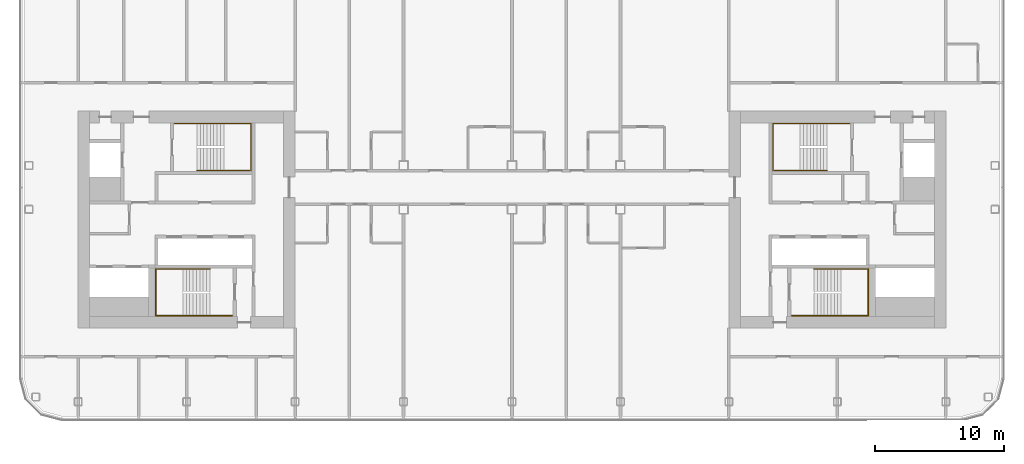
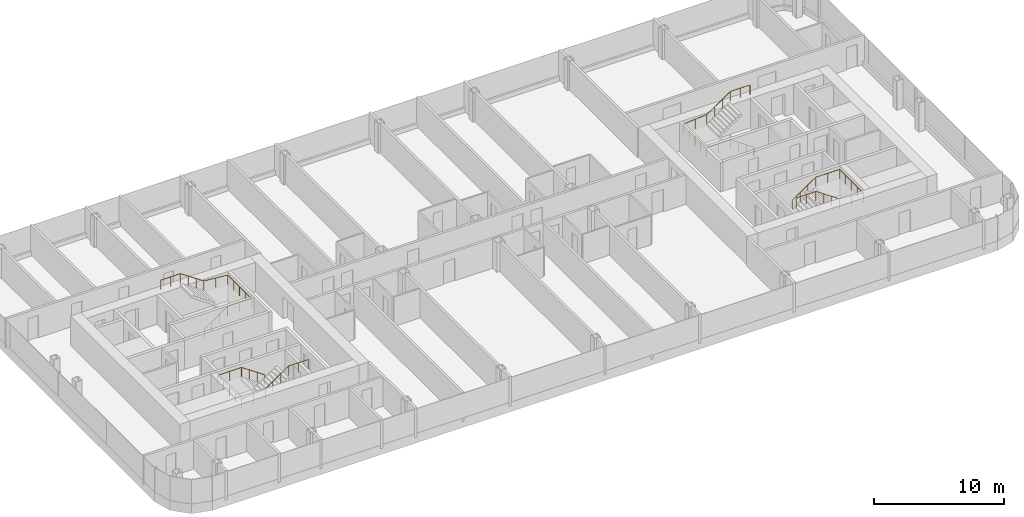
# One storey, part 26 of 26: 4 railings.
"""IFC4 building model written with IfcOpenShell, lengths in metres."""

from ifc_helpers import new_model, si_unit, direction, frame, origin, origin_2d, place, context, subcontext, project, spatial, circle, extrude, material, type_object, element, save


model = new_model("IFC4")

# Units and contexts
model_context = context("Model", 3, precision=1e-05, world=origin(), true_north=direction((0.0, 1.0)))
body_context = subcontext(model_context, "Body", "Model", "MODEL_VIEW")
ifc_project = project(units=[si_unit("LENGTHUNIT", "METRE"), si_unit("AREAUNIT", "SQUARE_METRE"), si_unit("VOLUMEUNIT", "CUBIC_METRE"), si_unit("PLANEANGLEUNIT", "RADIAN"), si_unit("MASSUNIT", "GRAM", prefix="KILO")], contexts=[model_context])

# Site, building, storey
site_placement = place(None, origin())
site = spatial("IfcSite", under=ifc_project, at=site_placement, CompositionType="ELEMENT")
building_placement = place(site_placement, origin())
building = spatial("IfcBuilding", under=site, at=building_placement, Name="Hakoniwa Tower and Hamabe Station Hall", CompositionType="ELEMENT")
storey_placement = place(building_placement, frame((0.0, 0.0, 196.199951171875)))
storey = spatial("IfcBuildingStorey", under=building, at=storey_placement, Name="L55", CompositionType="ELEMENT", Elevation=196.199951171875)

# Railings
ifc_material = material(Name="Stainless steel SUS304", Category="steel")
railing_type = type_object("IfcRailingType", Name="STAIR HANDRAIL 900", PredefinedType="HANDRAIL", material=ifc_material)
railing_1_placement = place(storey_placement, frame((-24.39990234375, 3.81005859375, 0.177734375)))
element("IfcRailing", 1, at=railing_1_placement, inside=storey, type_object=railing_type, Name="Handrail ST-1 L55 1", PredefinedType="HANDRAIL", context=body_context, shape_type="SweptSolid", body=[
    extrude(circle(Radius=0.02392578125, at=origin_2d()), frame((0.0, 0.0, 0.8759765625), z_axis=(0.825433201882, 0.0, 0.564499804456), x_axis=(0.0, 1.0, 0.0)), (0.0, 0.0, 1.0), 2.519775390625),
    extrude(circle(Radius=0.02392578125, at=origin_2d()), frame((2.079833984375, 0.0, 2.29833984375), z_axis=(1.0, 0.0, 0.0), x_axis=(0.0, 1.0, 0.0)), (0.0, 0.0, 1.0), 2.110107421875),
    extrude(circle(Radius=0.02392578125, at=origin_2d()), frame((4.18994140625, 0.0, 2.29833984375), z_axis=(0.0, 1.0, 0.0), x_axis=(-1.0, 0.0, 0.0)), (0.0, 0.0, 1.0), 3.6298828125),
    extrude(circle(Radius=0.02392578125, at=origin_2d()), frame((4.18994140625, 3.6298828125, 2.29833984375), z_axis=(-0.996471417081, 0.0, 0.083932800143), x_axis=(0.0, -1.0, 0.0)), (0.0, 0.0, 1.0), 2.11767578125),
    extrude(circle(Radius=0.02392578125, at=origin_2d()), frame((2.079833984375, 3.6298828125, 2.47607421875), z_axis=(-0.825478349766, 0.0, 0.564433781827), x_axis=(0.0, -1.0, 0.0)), (0.0, 0.0, 1.0), 2.51953125),
    extrude(circle(Radius=0.02392578125, at=origin_2d()), frame((0.0, 3.6298828125, 3.89794921875), z_axis=(-1.0, 0.0, 0.0), x_axis=(0.0, -1.0, 0.0)), (0.0, 0.0, 1.0), 1.739990234375),
    extrude(circle(Radius=0.02099609375, at=origin_2d()), origin(), (0.0, 0.0, 1.0), 0.851806640625),
    extrude(circle(Radius=0.02099609375, at=origin_2d()), frame((0.693359375, 0.0, 0.47412109375)), (0.0, 0.0, 1.0), 0.851806640625),
    extrude(circle(Radius=0.02099609375, at=origin_2d()), frame((1.386474609375, 0.0, 0.9482421875)), (0.0, 0.0, 1.0), 0.851806640625),
    extrude(circle(Radius=0.02099609375, at=origin_2d()), frame((2.079833984375, 0.0, 1.42236328125)), (0.0, 0.0, 1.0), 0.851806640625),
    extrude(circle(Radius=0.02099609375, at=origin_2d()), frame((3.134765625, 0.0, 1.42236328125)), (0.0, 0.0, 1.0), 0.851806640625),
    extrude(circle(Radius=0.02099609375, at=origin_2d()), frame((4.18994140625, 0.0, 1.42236328125)), (0.0, 0.0, 1.0), 0.851806640625),
    extrude(circle(Radius=0.02099609375, at=origin_2d()), frame((4.18994140625, 0.907470703125, 1.42236328125)), (0.0, 0.0, 1.0), 0.851806640625),
    extrude(circle(Radius=0.02099609375, at=origin_2d()), frame((4.18994140625, 1.81494140625, 1.42236328125)), (0.0, 0.0, 1.0), 0.851806640625),
    extrude(circle(Radius=0.02099609375, at=origin_2d()), frame((4.18994140625, 2.722412109375, 1.42236328125)), (0.0, 0.0, 1.0), 0.851806640625),
    extrude(circle(Radius=0.02099609375, at=origin_2d()), frame((4.18994140625, 3.6298828125, 1.42236328125)), (0.0, 0.0, 1.0), 0.851806640625),
    extrude(circle(Radius=0.02099609375, at=origin_2d()), frame((3.134765625, 3.6298828125, 1.51123046875)), (0.0, 0.0, 1.0), 0.851806640625),
    extrude(circle(Radius=0.02099609375, at=origin_2d()), frame((2.079833984375, 3.6298828125, 1.60009765625)), (0.0, 0.0, 1.0), 0.851806640625),
    extrude(circle(Radius=0.02099609375, at=origin_2d()), frame((1.386474609375, 3.6298828125, 2.07421875)), (0.0, 0.0, 1.0), 0.851806640625),
    extrude(circle(Radius=0.02099609375, at=origin_2d()), frame((0.693359375, 3.6298828125, 2.548095703125)), (0.0, 0.0, 1.0), 0.851806640625),
    extrude(circle(Radius=0.02099609375, at=origin_2d()), frame((0.0, 3.6298828125, 3.022216796875)), (0.0, 0.0, 1.0), 0.851806640625),
    extrude(circle(Radius=0.02099609375, at=origin_2d()), frame((-0.8701171875, 3.6298828125, 3.022216796875)), (0.0, 0.0, 1.0), 0.851806640625),
    extrude(circle(Radius=0.02099609375, at=origin_2d()), frame((-1.739990234375, 3.6298828125, 3.022216796875)), (0.0, 0.0, 1.0), 0.851806640625),
])
railing_2_placement = place(storey_placement, frame((-23.39990234375, -3.81005859375, 0.177734375)))
element("IfcRailing", 2, at=railing_2_placement, inside=storey, type_object=railing_type, Name="Handrail ST-2 L55 1", PredefinedType="HANDRAIL", context=body_context, shape_type="SweptSolid", body=[
    extrude(circle(Radius=0.02392578125, at=origin_2d()), frame((0.0, 0.0, 0.8759765625), z_axis=(-0.825464074169, 0.0, 0.564454659168), x_axis=(0.0, -1.0, 0.0)), (0.0, 0.0, 1.0), 2.519775390625),
    extrude(circle(Radius=0.02392578125, at=origin_2d()), frame((-2.080078125, 0.0, 2.29833984375), z_axis=(-1.0, 0.0, 0.0), x_axis=(0.0, -1.0, 0.0)), (0.0, 0.0, 1.0), 2.110107421875),
    extrude(circle(Radius=0.02392578125, at=origin_2d()), frame((-4.190185546875, 0.0, 2.29833984375), z_axis=(0.0, -1.0, 0.0), x_axis=(1.0, 0.0, 0.0)), (0.0, 0.0, 1.0), 3.6298828125),
    extrude(circle(Radius=0.02392578125, at=origin_2d()), frame((-4.190185546875, -3.6298828125, 2.29833984375), z_axis=(0.996471417081, 0.0, 0.083932800143), x_axis=(0.0, 1.0, 0.0)), (0.0, 0.0, 1.0), 2.11767578125),
    extrude(circle(Radius=0.02392578125, at=origin_2d()), frame((-2.080078125, -3.6298828125, 2.47607421875), z_axis=(0.82550921652, 0.0, 0.564388636881), x_axis=(0.0, 1.0, 0.0)), (0.0, 0.0, 1.0), 2.519775390625),
    extrude(circle(Radius=0.02392578125, at=origin_2d()), frame((0.0, -3.6298828125, 3.89794921875), z_axis=(1.0, 0.0, 0.0), x_axis=(0.0, 1.0, 0.0)), (0.0, 0.0, 1.0), 1.739990234375),
    extrude(circle(Radius=0.02099609375, at=origin_2d()), origin(), (0.0, 0.0, 1.0), 0.851806640625),
    extrude(circle(Radius=0.02099609375, at=origin_2d()), frame((-0.693359375, 0.0, 0.47412109375)), (0.0, 0.0, 1.0), 0.851806640625),
    extrude(circle(Radius=0.02099609375, at=origin_2d()), frame((-1.38671875, 0.0, 0.9482421875)), (0.0, 0.0, 1.0), 0.851806640625),
    extrude(circle(Radius=0.02099609375, at=origin_2d()), frame((-2.080078125, 0.0, 1.42236328125)), (0.0, 0.0, 1.0), 0.851806640625),
    extrude(circle(Radius=0.02099609375, at=origin_2d()), frame((-3.13525390625, 0.0, 1.42236328125)), (0.0, 0.0, 1.0), 0.851806640625),
    extrude(circle(Radius=0.02099609375, at=origin_2d()), frame((-4.190185546875, 0.0, 1.42236328125)), (0.0, 0.0, 1.0), 0.851806640625),
    extrude(circle(Radius=0.02099609375, at=origin_2d()), frame((-4.190185546875, -0.907470703125, 1.42236328125)), (0.0, 0.0, 1.0), 0.851806640625),
    extrude(circle(Radius=0.02099609375, at=origin_2d()), frame((-4.190185546875, -1.81494140625, 1.42236328125)), (0.0, 0.0, 1.0), 0.851806640625),
    extrude(circle(Radius=0.02099609375, at=origin_2d()), frame((-4.190185546875, -2.722412109375, 1.42236328125)), (0.0, 0.0, 1.0), 0.851806640625),
    extrude(circle(Radius=0.02099609375, at=origin_2d()), frame((-4.190185546875, -3.6298828125, 1.42236328125)), (0.0, 0.0, 1.0), 0.851806640625),
    extrude(circle(Radius=0.02099609375, at=origin_2d()), frame((-3.13525390625, -3.6298828125, 1.51123046875)), (0.0, 0.0, 1.0), 0.851806640625),
    extrude(circle(Radius=0.02099609375, at=origin_2d()), frame((-2.080078125, -3.6298828125, 1.60009765625)), (0.0, 0.0, 1.0), 0.851806640625),
    extrude(circle(Radius=0.02099609375, at=origin_2d()), frame((-1.38671875, -3.6298828125, 2.07421875)), (0.0, 0.0, 1.0), 0.851806640625),
    extrude(circle(Radius=0.02099609375, at=origin_2d()), frame((-0.693359375, -3.6298828125, 2.548095703125)), (0.0, 0.0, 1.0), 0.851806640625),
    extrude(circle(Radius=0.02099609375, at=origin_2d()), frame((0.0, -3.6298828125, 3.022216796875)), (0.0, 0.0, 1.0), 0.851806640625),
    extrude(circle(Radius=0.02099609375, at=origin_2d()), frame((0.8701171875, -3.6298828125, 3.022216796875)), (0.0, 0.0, 1.0), 0.851806640625),
    extrude(circle(Radius=0.02099609375, at=origin_2d()), frame((1.739990234375, -3.6298828125, 3.022216796875)), (0.0, 0.0, 1.0), 0.851806640625),
])
railing_3_placement = place(storey_placement, frame((24.39990234375, 3.81005859375, 0.177734375)))
element("IfcRailing", 3, at=railing_3_placement, inside=storey, type_object=railing_type, Name="Handrail ST-3 L55 1", PredefinedType="HANDRAIL", context=body_context, shape_type="SweptSolid", body=[
    extrude(circle(Radius=0.02392578125, at=origin_2d()), frame((0.0, 0.0, 0.8759765625), z_axis=(-0.825433201882, 0.0, 0.564499804456), x_axis=(0.0, -1.0, 0.0)), (0.0, 0.0, 1.0), 2.519775390625),
    extrude(circle(Radius=0.02392578125, at=origin_2d()), frame((-2.079833984375, 0.0, 2.29833984375), z_axis=(-1.0, 0.0, 0.0), x_axis=(0.0, -1.0, 0.0)), (0.0, 0.0, 1.0), 2.110107421875),
    extrude(circle(Radius=0.02392578125, at=origin_2d()), frame((-4.18994140625, 0.0, 2.29833984375), z_axis=(0.0, 1.0, 0.0), x_axis=(-1.0, 0.0, 0.0)), (0.0, 0.0, 1.0), 3.6298828125),
    extrude(circle(Radius=0.02392578125, at=origin_2d()), frame((-4.18994140625, 3.6298828125, 2.29833984375), z_axis=(0.996471417081, 0.0, 0.083932800143), x_axis=(0.0, 1.0, 0.0)), (0.0, 0.0, 1.0), 2.11767578125),
    extrude(circle(Radius=0.02392578125, at=origin_2d()), frame((-2.079833984375, 3.6298828125, 2.47607421875), z_axis=(0.825478349766, 0.0, 0.564433781827), x_axis=(0.0, 1.0, 0.0)), (0.0, 0.0, 1.0), 2.51953125),
    extrude(circle(Radius=0.02392578125, at=origin_2d()), frame((0.0, 3.6298828125, 3.89794921875), z_axis=(1.0, 0.0, 0.0), x_axis=(0.0, 1.0, 0.0)), (0.0, 0.0, 1.0), 1.739990234375),
    extrude(circle(Radius=0.02099609375, at=origin_2d()), origin(), (0.0, 0.0, 1.0), 0.851806640625),
    extrude(circle(Radius=0.02099609375, at=origin_2d()), frame((-0.693359375, 0.0, 0.47412109375)), (0.0, 0.0, 1.0), 0.851806640625),
    extrude(circle(Radius=0.02099609375, at=origin_2d()), frame((-1.386474609375, 0.0, 0.9482421875)), (0.0, 0.0, 1.0), 0.851806640625),
    extrude(circle(Radius=0.02099609375, at=origin_2d()), frame((-2.079833984375, 0.0, 1.42236328125)), (0.0, 0.0, 1.0), 0.851806640625),
    extrude(circle(Radius=0.02099609375, at=origin_2d()), frame((-3.134765625, 0.0, 1.42236328125)), (0.0, 0.0, 1.0), 0.851806640625),
    extrude(circle(Radius=0.02099609375, at=origin_2d()), frame((-4.18994140625, 0.0, 1.42236328125)), (0.0, 0.0, 1.0), 0.851806640625),
    extrude(circle(Radius=0.02099609375, at=origin_2d()), frame((-4.18994140625, 0.907470703125, 1.42236328125)), (0.0, 0.0, 1.0), 0.851806640625),
    extrude(circle(Radius=0.02099609375, at=origin_2d()), frame((-4.18994140625, 1.81494140625, 1.42236328125)), (0.0, 0.0, 1.0), 0.851806640625),
    extrude(circle(Radius=0.02099609375, at=origin_2d()), frame((-4.18994140625, 2.722412109375, 1.42236328125)), (0.0, 0.0, 1.0), 0.851806640625),
    extrude(circle(Radius=0.02099609375, at=origin_2d()), frame((-4.18994140625, 3.6298828125, 1.42236328125)), (0.0, 0.0, 1.0), 0.851806640625),
    extrude(circle(Radius=0.02099609375, at=origin_2d()), frame((-3.134765625, 3.6298828125, 1.51123046875)), (0.0, 0.0, 1.0), 0.851806640625),
    extrude(circle(Radius=0.02099609375, at=origin_2d()), frame((-2.079833984375, 3.6298828125, 1.60009765625)), (0.0, 0.0, 1.0), 0.851806640625),
    extrude(circle(Radius=0.02099609375, at=origin_2d()), frame((-1.386474609375, 3.6298828125, 2.07421875)), (0.0, 0.0, 1.0), 0.851806640625),
    extrude(circle(Radius=0.02099609375, at=origin_2d()), frame((-0.693359375, 3.6298828125, 2.548095703125)), (0.0, 0.0, 1.0), 0.851806640625),
    extrude(circle(Radius=0.02099609375, at=origin_2d()), frame((0.0, 3.6298828125, 3.022216796875)), (0.0, 0.0, 1.0), 0.851806640625),
    extrude(circle(Radius=0.02099609375, at=origin_2d()), frame((0.8701171875, 3.6298828125, 3.022216796875)), (0.0, 0.0, 1.0), 0.851806640625),
    extrude(circle(Radius=0.02099609375, at=origin_2d()), frame((1.739990234375, 3.6298828125, 3.022216796875)), (0.0, 0.0, 1.0), 0.851806640625),
])
railing_4_placement = place(storey_placement, frame((23.39990234375, -3.81005859375, 0.177734375)))
element("IfcRailing", 4, at=railing_4_placement, inside=storey, type_object=railing_type, Name="Handrail ST-4 L55 1", PredefinedType="HANDRAIL", context=body_context, shape_type="SweptSolid", body=[
    extrude(circle(Radius=0.02392578125, at=origin_2d()), frame((0.0, 0.0, 0.8759765625), z_axis=(0.825464074169, 0.0, 0.564454659168), x_axis=(0.0, 1.0, 0.0)), (0.0, 0.0, 1.0), 2.519775390625),
    extrude(circle(Radius=0.02392578125, at=origin_2d()), frame((2.080078125, 0.0, 2.29833984375), z_axis=(1.0, 0.0, 0.0), x_axis=(0.0, 1.0, 0.0)), (0.0, 0.0, 1.0), 2.110107421875),
    extrude(circle(Radius=0.02392578125, at=origin_2d()), frame((4.190185546875, 0.0, 2.29833984375), z_axis=(0.0, -1.0, 0.0), x_axis=(1.0, 0.0, 0.0)), (0.0, 0.0, 1.0), 3.6298828125),
    extrude(circle(Radius=0.02392578125, at=origin_2d()), frame((4.190185546875, -3.6298828125, 2.29833984375), z_axis=(-0.996471417081, 0.0, 0.083932800143), x_axis=(0.0, -1.0, 0.0)), (0.0, 0.0, 1.0), 2.11767578125),
    extrude(circle(Radius=0.02392578125, at=origin_2d()), frame((2.080078125, -3.6298828125, 2.47607421875), z_axis=(-0.82550921652, 0.0, 0.564388636881), x_axis=(0.0, -1.0, 0.0)), (0.0, 0.0, 1.0), 2.519775390625),
    extrude(circle(Radius=0.02392578125, at=origin_2d()), frame((0.0, -3.6298828125, 3.89794921875), z_axis=(-1.0, 0.0, 0.0), x_axis=(0.0, -1.0, 0.0)), (0.0, 0.0, 1.0), 1.739990234375),
    extrude(circle(Radius=0.02099609375, at=origin_2d()), origin(), (0.0, 0.0, 1.0), 0.851806640625),
    extrude(circle(Radius=0.02099609375, at=origin_2d()), frame((0.693359375, 0.0, 0.47412109375)), (0.0, 0.0, 1.0), 0.851806640625),
    extrude(circle(Radius=0.02099609375, at=origin_2d()), frame((1.38671875, 0.0, 0.9482421875)), (0.0, 0.0, 1.0), 0.851806640625),
    extrude(circle(Radius=0.02099609375, at=origin_2d()), frame((2.080078125, 0.0, 1.42236328125)), (0.0, 0.0, 1.0), 0.851806640625),
    extrude(circle(Radius=0.02099609375, at=origin_2d()), frame((3.13525390625, 0.0, 1.42236328125)), (0.0, 0.0, 1.0), 0.851806640625),
    extrude(circle(Radius=0.02099609375, at=origin_2d()), frame((4.190185546875, 0.0, 1.42236328125)), (0.0, 0.0, 1.0), 0.851806640625),
    extrude(circle(Radius=0.02099609375, at=origin_2d()), frame((4.190185546875, -0.907470703125, 1.42236328125)), (0.0, 0.0, 1.0), 0.851806640625),
    extrude(circle(Radius=0.02099609375, at=origin_2d()), frame((4.190185546875, -1.81494140625, 1.42236328125)), (0.0, 0.0, 1.0), 0.851806640625),
    extrude(circle(Radius=0.02099609375, at=origin_2d()), frame((4.190185546875, -2.722412109375, 1.42236328125)), (0.0, 0.0, 1.0), 0.851806640625),
    extrude(circle(Radius=0.02099609375, at=origin_2d()), frame((4.190185546875, -3.6298828125, 1.42236328125)), (0.0, 0.0, 1.0), 0.851806640625),
    extrude(circle(Radius=0.02099609375, at=origin_2d()), frame((3.13525390625, -3.6298828125, 1.51123046875)), (0.0, 0.0, 1.0), 0.851806640625),
    extrude(circle(Radius=0.02099609375, at=origin_2d()), frame((2.080078125, -3.6298828125, 1.60009765625)), (0.0, 0.0, 1.0), 0.851806640625),
    extrude(circle(Radius=0.02099609375, at=origin_2d()), frame((1.38671875, -3.6298828125, 2.07421875)), (0.0, 0.0, 1.0), 0.851806640625),
    extrude(circle(Radius=0.02099609375, at=origin_2d()), frame((0.693359375, -3.6298828125, 2.548095703125)), (0.0, 0.0, 1.0), 0.851806640625),
    extrude(circle(Radius=0.02099609375, at=origin_2d()), frame((0.0, -3.6298828125, 3.022216796875)), (0.0, 0.0, 1.0), 0.851806640625),
    extrude(circle(Radius=0.02099609375, at=origin_2d()), frame((-0.8701171875, -3.6298828125, 3.022216796875)), (0.0, 0.0, 1.0), 0.851806640625),
    extrude(circle(Radius=0.02099609375, at=origin_2d()), frame((-1.739990234375, -3.6298828125, 3.022216796875)), (0.0, 0.0, 1.0), 0.851806640625),
])

save(model, "model.ifc")
